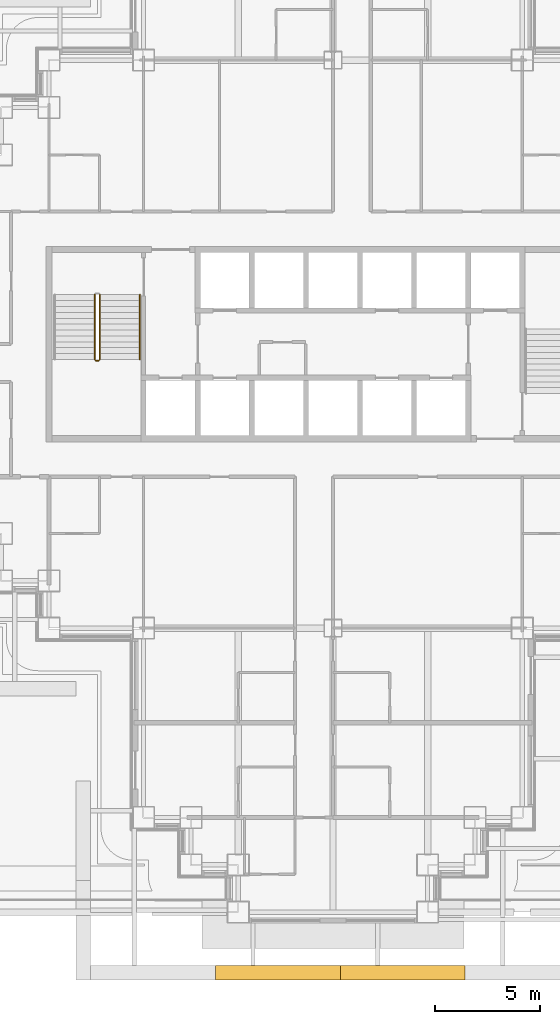
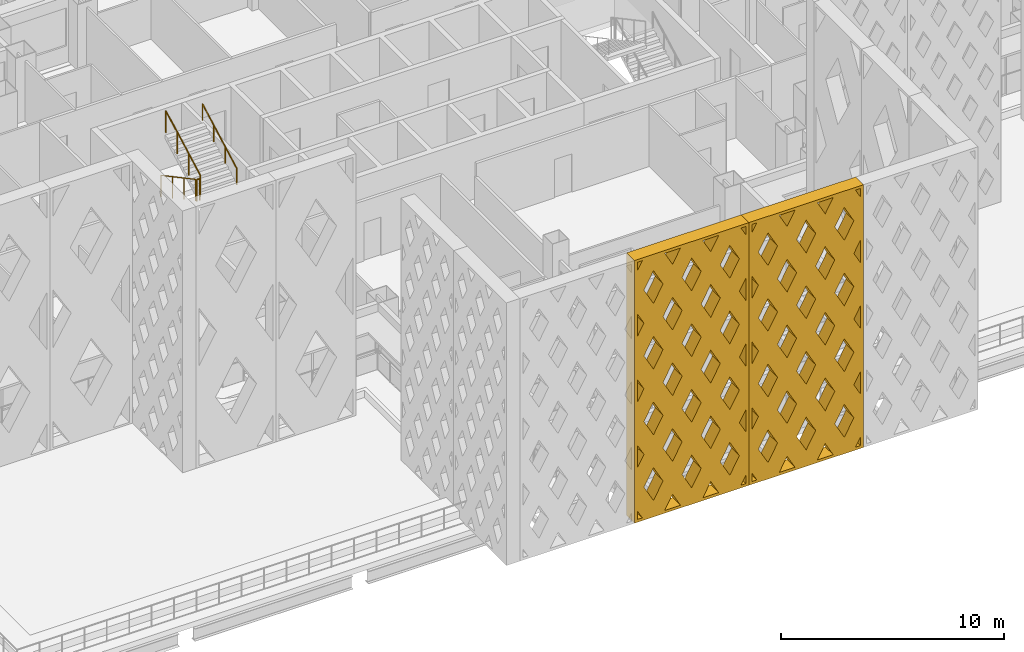
# One storey, part 18 of 26: 4 railings, 2 shading devices.
"""IFC4 building model written with IfcOpenShell, lengths in metres."""

from ifc_helpers import new_model, si_unit, direction, frame, origin, origin_2d, place, context, subcontext, project, spatial, polyline, circle, outline, extrude, material, type_object, element, save


model = new_model("IFC4")

# Units and contexts
model_context = context("Model", 3, precision=1e-05, world=origin(), true_north=direction((0.0, 1.0)))
body_context = subcontext(model_context, "Body", "Model", "MODEL_VIEW")
ifc_project = project(units=[si_unit("LENGTHUNIT", "METRE"), si_unit("AREAUNIT", "SQUARE_METRE"), si_unit("VOLUMEUNIT", "CUBIC_METRE"), si_unit("PLANEANGLEUNIT", "RADIAN"), si_unit("MASSUNIT", "GRAM", prefix="KILO")], contexts=[model_context])

# Site, building, storey
site_placement = place(None, origin())
site = spatial("IfcSite", under=ifc_project, at=site_placement, CompositionType="ELEMENT")
building_placement = place(site_placement, origin())
building = spatial("IfcBuilding", under=site, at=building_placement, Name="Caravel Reach Hotel and Residences", CompositionType="ELEMENT")
storey_placement = place(building_placement, frame((0.0, 0.0, 33.60009765625)))
storey = spatial("IfcBuildingStorey", under=building, at=storey_placement, Name="L06", CompositionType="ELEMENT", Elevation=33.60009765625)

# Shading devices
ifc_material_1 = material(Name="Black powder-coated aluminium", Category="aluminium")
shading_device_type = type_object("IfcShadingDeviceType", Name="Diamond lattice screen panel 5937 x 14400", PredefinedType="USERDEFINED", material=ifc_material_1)
shading_device_1_placement = place(storey_placement, frame((25.91259765625, -2.52490234375, 0.0), z_axis=(0.0, -1.0, 0.0), x_axis=(1.0, 0.0, 0.0)))
element("IfcShadingDevice", 1, at=shading_device_1_placement, inside=storey, type_object=shading_device_type, Name="Lattice screen L06-L09 2.2", ObjectType="SCREEN", PredefinedType="USERDEFINED", context=body_context, shape_type="SweptSolid", body=[
    extrude(outline(polyline([(0.0, 0.0), (5.9375, 0.0), (5.9375, 14.39990234375), (0.0, 14.39990234375), (0.0, 0.0)]), holes=[polyline([(0.412353515625, 0.14990234375), (0.14990234375, 0.626953125), (0.14990234375, 0.14990234375), (0.412353515625, 0.14990234375)]), polyline([(0.49462890625, 3.60009765625), (0.14990234375, 4.22705078125), (0.14990234375, 2.972900390625), (0.49462890625, 3.60009765625)]), polyline([(0.49462890625, 7.199951171875), (0.14990234375, 7.826904296875), (0.14990234375, 6.572998046875), (0.49462890625, 7.199951171875)]), polyline([(0.49462890625, 10.800048828125), (0.14990234375, 11.427001953125), (0.14990234375, 10.173095703125), (0.49462890625, 10.800048828125)]), polyline([(0.14990234375, 13.77294921875), (0.412353515625, 14.25), (0.14990234375, 14.25), (0.14990234375, 13.77294921875)]), polyline([(0.989501953125, 2.699951171875), (0.494873046875, 1.800048828125), (0.989501953125, 0.900146484375), (1.484375, 1.800048828125), (0.989501953125, 2.699951171875)]), polyline([(0.989501953125, 6.2998046875), (0.494873046875, 5.39990234375), (0.989501953125, 4.500244140625), (1.484375, 5.39990234375), (0.989501953125, 6.2998046875)]), polyline([(0.989501953125, 9.89990234375), (0.494873046875, 9.0), (0.989501953125, 8.10009765625), (1.484375, 9.0), (0.989501953125, 9.89990234375)]), polyline([(0.989501953125, 13.499755859375), (0.494873046875, 12.60009765625), (0.989501953125, 11.7001953125), (1.484375, 12.60009765625), (0.989501953125, 13.499755859375)]), polyline([(1.979248046875, 0.89990234375), (1.56689453125, 0.14990234375), (2.391357421875, 0.14990234375), (1.979248046875, 0.89990234375)]), polyline([(1.979248046875, 4.499755859375), (1.484375, 3.60009765625), (1.979248046875, 2.7001953125), (2.473876953125, 3.60009765625), (1.979248046875, 4.499755859375)]), polyline([(1.979248046875, 8.099853515625), (1.484375, 7.199951171875), (1.979248046875, 6.300048828125), (2.473876953125, 7.199951171875), (1.979248046875, 8.099853515625)]), polyline([(1.979248046875, 11.699951171875), (1.484375, 10.800048828125), (1.979248046875, 9.900146484375), (2.473876953125, 10.800048828125), (1.979248046875, 11.699951171875)]), polyline([(1.979248046875, 13.500244140625), (2.391357421875, 14.25), (1.56689453125, 14.25), (1.979248046875, 13.500244140625)]), polyline([(2.96875, 2.699951171875), (2.47412109375, 1.800048828125), (2.96875, 0.900146484375), (3.46337890625, 1.800048828125), (2.96875, 2.699951171875)]), polyline([(2.96875, 6.2998046875), (2.47412109375, 5.39990234375), (2.96875, 4.500244140625), (3.46337890625, 5.39990234375), (2.96875, 6.2998046875)]), polyline([(2.96875, 9.89990234375), (2.47412109375, 9.0), (2.96875, 8.10009765625), (3.46337890625, 9.0), (2.96875, 9.89990234375)]), polyline([(2.96875, 13.499755859375), (2.47412109375, 12.60009765625), (2.96875, 11.7001953125), (3.46337890625, 12.60009765625), (2.96875, 13.499755859375)]), polyline([(3.958251953125, 0.89990234375), (3.546142578125, 0.14990234375), (4.37060546875, 0.14990234375), (3.958251953125, 0.89990234375)]), polyline([(3.958251953125, 4.499755859375), (3.463623046875, 3.60009765625), (3.958251953125, 2.7001953125), (4.453125, 3.60009765625), (3.958251953125, 4.499755859375)]), polyline([(3.958251953125, 8.099853515625), (3.463623046875, 7.199951171875), (3.958251953125, 6.300048828125), (4.453125, 7.199951171875), (3.958251953125, 8.099853515625)]), polyline([(3.958251953125, 11.699951171875), (3.463623046875, 10.800048828125), (3.958251953125, 9.900146484375), (4.453125, 10.800048828125), (3.958251953125, 11.699951171875)]), polyline([(3.958251953125, 13.500244140625), (4.37060546875, 14.25), (3.546142578125, 14.25), (3.958251953125, 13.500244140625)]), polyline([(4.947998046875, 2.699951171875), (4.453125, 1.800048828125), (4.947998046875, 0.900146484375), (5.442626953125, 1.800048828125), (4.947998046875, 2.699951171875)]), polyline([(4.947998046875, 6.2998046875), (4.453125, 5.39990234375), (4.947998046875, 4.500244140625), (5.442626953125, 5.39990234375), (4.947998046875, 6.2998046875)]), polyline([(4.947998046875, 9.89990234375), (4.453125, 9.0), (4.947998046875, 8.10009765625), (5.442626953125, 9.0), (4.947998046875, 9.89990234375)]), polyline([(4.947998046875, 13.499755859375), (4.453125, 12.60009765625), (4.947998046875, 11.7001953125), (5.442626953125, 12.60009765625), (4.947998046875, 13.499755859375)]), polyline([(5.78759765625, 0.626953125), (5.525146484375, 0.14990234375), (5.78759765625, 0.14990234375), (5.78759765625, 0.626953125)]), polyline([(5.44287109375, 3.60009765625), (5.78759765625, 2.972900390625), (5.78759765625, 4.22705078125), (5.44287109375, 3.60009765625)]), polyline([(5.44287109375, 7.199951171875), (5.78759765625, 6.572998046875), (5.78759765625, 7.826904296875), (5.44287109375, 7.199951171875)]), polyline([(5.44287109375, 10.800048828125), (5.78759765625, 10.173095703125), (5.78759765625, 11.427001953125), (5.44287109375, 10.800048828125)]), polyline([(5.525146484375, 14.25), (5.78759765625, 13.77294921875), (5.78759765625, 14.25), (5.525146484375, 14.25)])]), origin(), (0.0, 0.0, 1.0), 0.7001953125),
])
shading_device_2_placement = place(storey_placement, frame((31.85009765625, -2.52490234375, 0.0), z_axis=(0.0, -1.0, 0.0), x_axis=(1.0, 0.0, 0.0)))
element("IfcShadingDevice", 2, at=shading_device_2_placement, inside=storey, type_object=shading_device_type, Name="Lattice screen L06-L09 2.3", ObjectType="SCREEN", PredefinedType="USERDEFINED", context=body_context, shape_type="SweptSolid", body=[
    extrude(outline(polyline([(0.0, 0.0), (5.9375, 0.0), (5.9375, 14.39990234375), (0.0, 14.39990234375), (0.0, 0.0)]), holes=[polyline([(0.412353515625, 0.14990234375), (0.14990234375, 0.626953125), (0.14990234375, 0.14990234375), (0.412353515625, 0.14990234375)]), polyline([(0.49462890625, 3.60009765625), (0.14990234375, 4.22705078125), (0.14990234375, 2.972900390625), (0.49462890625, 3.60009765625)]), polyline([(0.49462890625, 7.199951171875), (0.14990234375, 7.826904296875), (0.14990234375, 6.572998046875), (0.49462890625, 7.199951171875)]), polyline([(0.49462890625, 10.800048828125), (0.14990234375, 11.427001953125), (0.14990234375, 10.173095703125), (0.49462890625, 10.800048828125)]), polyline([(0.14990234375, 13.77294921875), (0.412353515625, 14.25), (0.14990234375, 14.25), (0.14990234375, 13.77294921875)]), polyline([(0.989501953125, 2.699951171875), (0.494873046875, 1.800048828125), (0.989501953125, 0.900146484375), (1.484375, 1.800048828125), (0.989501953125, 2.699951171875)]), polyline([(0.989501953125, 6.2998046875), (0.494873046875, 5.39990234375), (0.989501953125, 4.500244140625), (1.484375, 5.39990234375), (0.989501953125, 6.2998046875)]), polyline([(0.989501953125, 9.89990234375), (0.494873046875, 9.0), (0.989501953125, 8.10009765625), (1.484375, 9.0), (0.989501953125, 9.89990234375)]), polyline([(0.989501953125, 13.499755859375), (0.494873046875, 12.60009765625), (0.989501953125, 11.7001953125), (1.484375, 12.60009765625), (0.989501953125, 13.499755859375)]), polyline([(1.979248046875, 0.89990234375), (1.56689453125, 0.14990234375), (2.391357421875, 0.14990234375), (1.979248046875, 0.89990234375)]), polyline([(1.979248046875, 4.499755859375), (1.484375, 3.60009765625), (1.979248046875, 2.7001953125), (2.473876953125, 3.60009765625), (1.979248046875, 4.499755859375)]), polyline([(1.979248046875, 8.099853515625), (1.484375, 7.199951171875), (1.979248046875, 6.300048828125), (2.473876953125, 7.199951171875), (1.979248046875, 8.099853515625)]), polyline([(1.979248046875, 11.699951171875), (1.484375, 10.800048828125), (1.979248046875, 9.900146484375), (2.473876953125, 10.800048828125), (1.979248046875, 11.699951171875)]), polyline([(1.979248046875, 13.500244140625), (2.391357421875, 14.25), (1.56689453125, 14.25), (1.979248046875, 13.500244140625)]), polyline([(2.96875, 2.699951171875), (2.47412109375, 1.800048828125), (2.96875, 0.900146484375), (3.46337890625, 1.800048828125), (2.96875, 2.699951171875)]), polyline([(2.96875, 6.2998046875), (2.47412109375, 5.39990234375), (2.96875, 4.500244140625), (3.46337890625, 5.39990234375), (2.96875, 6.2998046875)]), polyline([(2.96875, 9.89990234375), (2.47412109375, 9.0), (2.96875, 8.10009765625), (3.46337890625, 9.0), (2.96875, 9.89990234375)]), polyline([(2.96875, 13.499755859375), (2.47412109375, 12.60009765625), (2.96875, 11.7001953125), (3.46337890625, 12.60009765625), (2.96875, 13.499755859375)]), polyline([(3.958251953125, 0.89990234375), (3.546142578125, 0.14990234375), (4.37060546875, 0.14990234375), (3.958251953125, 0.89990234375)]), polyline([(3.958251953125, 4.499755859375), (3.463623046875, 3.60009765625), (3.958251953125, 2.7001953125), (4.453125, 3.60009765625), (3.958251953125, 4.499755859375)]), polyline([(3.958251953125, 8.099853515625), (3.463623046875, 7.199951171875), (3.958251953125, 6.300048828125), (4.453125, 7.199951171875), (3.958251953125, 8.099853515625)]), polyline([(3.958251953125, 11.699951171875), (3.463623046875, 10.800048828125), (3.958251953125, 9.900146484375), (4.453125, 10.800048828125), (3.958251953125, 11.699951171875)]), polyline([(3.958251953125, 13.500244140625), (4.37060546875, 14.25), (3.546142578125, 14.25), (3.958251953125, 13.500244140625)]), polyline([(4.947998046875, 2.699951171875), (4.453125, 1.800048828125), (4.947998046875, 0.900146484375), (5.442626953125, 1.800048828125), (4.947998046875, 2.699951171875)]), polyline([(4.947998046875, 6.2998046875), (4.453125, 5.39990234375), (4.947998046875, 4.500244140625), (5.442626953125, 5.39990234375), (4.947998046875, 6.2998046875)]), polyline([(4.947998046875, 9.89990234375), (4.453125, 9.0), (4.947998046875, 8.10009765625), (5.442626953125, 9.0), (4.947998046875, 9.89990234375)]), polyline([(4.947998046875, 13.499755859375), (4.453125, 12.60009765625), (4.947998046875, 11.7001953125), (5.442626953125, 12.60009765625), (4.947998046875, 13.499755859375)]), polyline([(5.78759765625, 0.626953125), (5.525146484375, 0.14990234375), (5.78759765625, 0.14990234375), (5.78759765625, 0.626953125)]), polyline([(5.44287109375, 3.60009765625), (5.78759765625, 2.972900390625), (5.78759765625, 4.22705078125), (5.44287109375, 3.60009765625)]), polyline([(5.44287109375, 7.199951171875), (5.78759765625, 6.572998046875), (5.78759765625, 7.826904296875), (5.44287109375, 7.199951171875)]), polyline([(5.44287109375, 10.800048828125), (5.78759765625, 10.173095703125), (5.78759765625, 11.427001953125), (5.44287109375, 10.800048828125)]), polyline([(5.525146484375, 14.25), (5.78759765625, 13.77294921875), (5.78759765625, 14.25), (5.525146484375, 14.25)])]), origin(), (0.0, 0.0, 1.0), 0.7001953125),
])

# Railings
ifc_material_2 = material(Name="Steel balustrade with glass infill", Category="steel")
railing_type_1 = type_object("IfcRailingType", Name="Guard 1200", PredefinedType="GUARDRAIL", material=ifc_material_2)
railing_1_placement = place(storey_placement, frame((20.175048828125, 29.35009765625, 0.14990234375)))
element("IfcRailing", 3, at=railing_1_placement, inside=storey, type_object=railing_type_1, Name="L06 ST-A stair guard 1", PredefinedType="GUARDRAIL", context=body_context, shape_type="SweptSolid", body=[
    extrude(circle(Radius=0.02392578125, at=origin_2d()), frame((0.0, 0.0, 1.17578125), z_axis=(0.0, -0.881496589024, 0.472190389079), x_axis=(1.0, 0.0, 0.0)), (0.0, 0.0, 1.0), 3.494140625),
    extrude(circle(Radius=0.02099609375, at=origin_2d()), origin(), (0.0, 0.0, 1.0), 1.15185546875),
    extrude(circle(Radius=0.02099609375, at=origin_2d()), frame((0.0, -1.026611328125, 0.550048828125)), (0.0, 0.0, 1.0), 1.15185546875),
    extrude(circle(Radius=0.02099609375, at=origin_2d()), frame((0.0, -2.053466796875, 1.099853515625)), (0.0, 0.0, 1.0), 1.15185546875),
    extrude(circle(Radius=0.02099609375, at=origin_2d()), frame((0.0, -3.080078125, 1.64990234375)), (0.0, 0.0, 1.0), 1.15185546875),
])
railing_2_placement = place(storey_placement, frame((20.22509765625, 26.219970703125, 1.7998046875)))
element("IfcRailing", 4, at=railing_2_placement, inside=storey, type_object=railing_type_1, Name="L06 ST-A stair guard 2", PredefinedType="GUARDRAIL", context=body_context, shape_type="SweptSolid", body=[
    extrude(circle(Radius=0.02392578125, at=origin_2d()), frame((0.0, 0.0, 1.17578125), z_axis=(1.0, 0.0, 0.0), x_axis=(0.0, 1.0, 0.0)), (0.0, 0.0, 1.0), 0.14990234375),
    extrude(circle(Radius=0.02099609375, at=origin_2d()), origin(), (0.0, 0.0, 1.0), 1.15185546875),
    extrude(circle(Radius=0.02099609375, at=origin_2d()), frame((0.14990234375, 0.0, 0.0)), (0.0, 0.0, 1.0), 1.15185546875),
])
railing_3_placement = place(storey_placement, frame((20.425048828125, 26.27001953125, 1.949951171875)))
element("IfcRailing", 5, at=railing_3_placement, inside=storey, type_object=railing_type_1, Name="L06 ST-A stair guard 3", PredefinedType="GUARDRAIL", context=body_context, shape_type="SweptSolid", body=[
    extrude(circle(Radius=0.02392578125, at=origin_2d()), frame((0.0, 0.0, 1.17578125), z_axis=(0.0, 0.881496589024, 0.472190389079), x_axis=(-1.0, 0.0, 0.0)), (0.0, 0.0, 1.0), 3.494140625),
    extrude(circle(Radius=0.02099609375, at=origin_2d()), origin(), (0.0, 0.0, 1.0), 1.15185546875),
    extrude(circle(Radius=0.02099609375, at=origin_2d()), frame((0.0, 1.026611328125, 0.550048828125)), (0.0, 0.0, 1.0), 1.15185546875),
    extrude(circle(Radius=0.02099609375, at=origin_2d()), frame((0.0, 2.053466796875, 1.099853515625)), (0.0, 0.0, 1.0), 1.15185546875),
    extrude(circle(Radius=0.02099609375, at=origin_2d()), frame((0.0, 3.080078125, 1.64990234375)), (0.0, 0.0, 1.0), 1.15185546875),
])
ifc_material_3 = material(Name="Stainless steel handrail", Category="steel")
railing_type_2 = type_object("IfcRailingType", Name="Handrail 900", PredefinedType="HANDRAIL", material=ifc_material_3)
railing_4_placement = place(storey_placement, frame((22.324951171875, 26.27001953125, 1.949951171875)))
element("IfcRailing", 6, at=railing_4_placement, inside=storey, type_object=railing_type_2, Name="L06 ST-A stair handrail 2", PredefinedType="HANDRAIL", context=body_context, shape_type="SweptSolid", body=[
    extrude(circle(Radius=0.02392578125, at=origin_2d()), frame((0.0, 0.0, 0.8759765625), z_axis=(0.0, 0.881496589024, 0.472190389079), x_axis=(-1.0, 0.0, 0.0)), (0.0, 0.0, 1.0), 3.494140625),
    extrude(circle(Radius=0.02099609375, at=origin_2d()), origin(), (0.0, 0.0, 1.0), 0.851806640625),
    extrude(circle(Radius=0.02099609375, at=origin_2d()), frame((0.0, 1.026611328125, 0.550048828125)), (0.0, 0.0, 1.0), 0.851806640625),
    extrude(circle(Radius=0.02099609375, at=origin_2d()), frame((0.0, 2.053466796875, 1.099853515625)), (0.0, 0.0, 1.0), 0.851806640625),
    extrude(circle(Radius=0.02099609375, at=origin_2d()), frame((0.0, 3.080078125, 1.64990234375)), (0.0, 0.0, 1.0), 0.851806640625),
])

save(model, "model.ifc")
